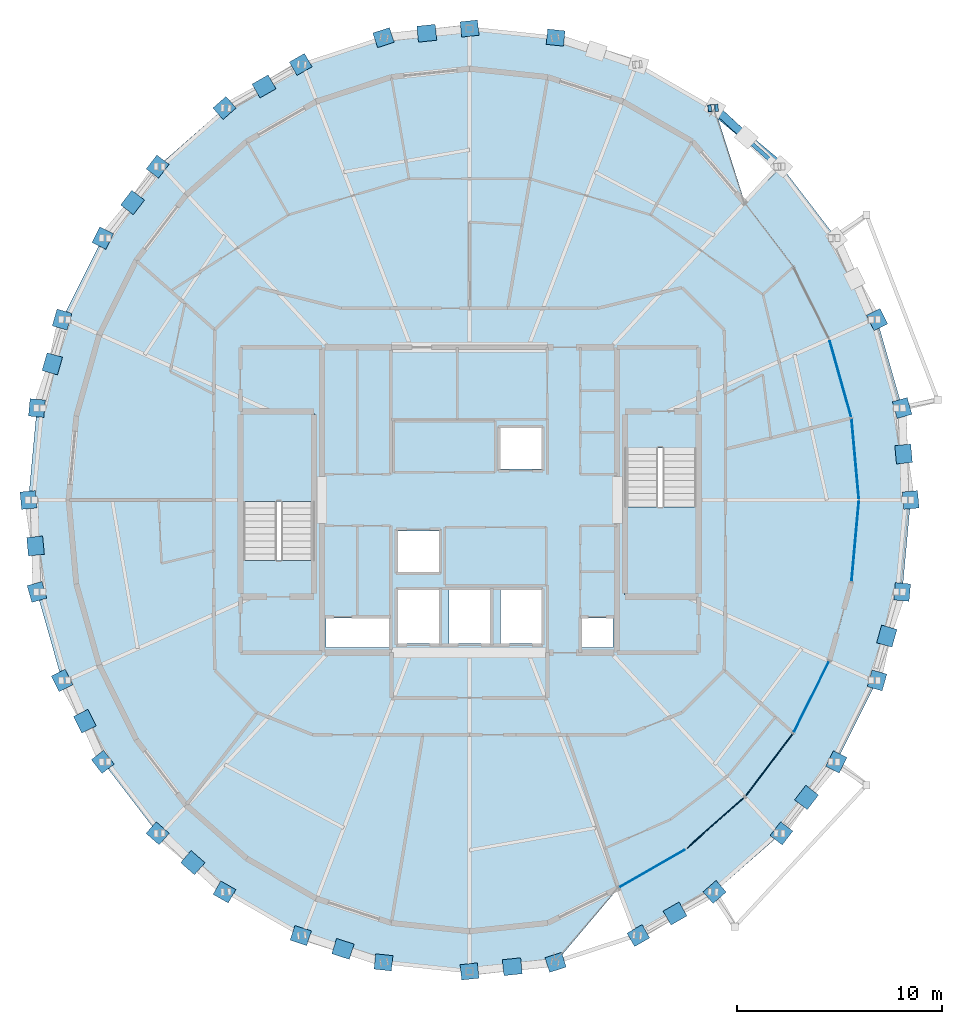
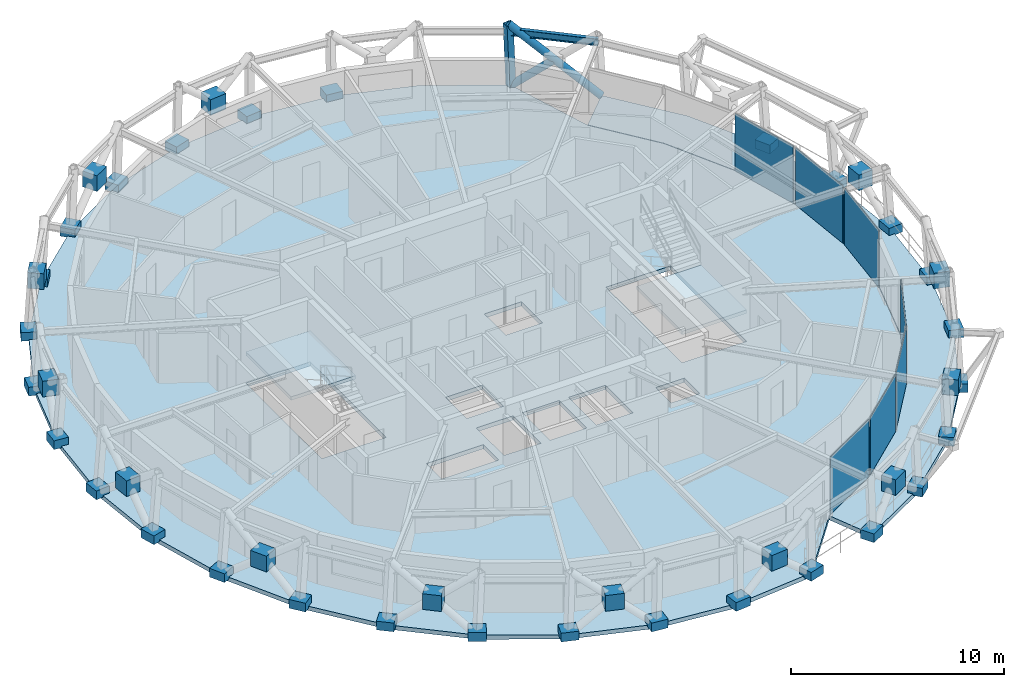
# One storey, part 9 of 15: 48 plates, 4 slabs, 3 members, 1 beam, 4 elements without a shape of their own.
"""IFC4 building model written with IfcOpenShell, lengths in metres."""

from ifc_helpers import new_model, si_unit, direction, frame, origin, origin_2d, place, context, subcontext, project, spatial, polyline, rectangle, hollow_rectangle, hollow_circle, i_section, outline, extrude, material, layer, layer_set, material_profile, profile_set, type_object, element, aggregate, save


model = new_model("IFC4")

# Units and contexts
model_context = context("Model", 3, precision=1e-05, world=origin(), true_north=direction((0.0, 1.0)))
body_context = subcontext(model_context, "Body", "Model", "MODEL_VIEW")
ifc_project = project(units=[si_unit("LENGTHUNIT", "METRE"), si_unit("AREAUNIT", "SQUARE_METRE"), si_unit("VOLUMEUNIT", "CUBIC_METRE"), si_unit("PLANEANGLEUNIT", "RADIAN"), si_unit("MASSUNIT", "GRAM", prefix="KILO")], contexts=[model_context])

# Site, building, storey
site_placement = place(None, origin())
site = spatial("IfcSite", under=ifc_project, at=site_placement, CompositionType="ELEMENT")
building_placement = place(site_placement, origin())
building = spatial("IfcBuilding", under=site, at=building_placement, Name="Veldorina Hangang Commons", CompositionType="ELEMENT")
storey_placement = place(building_placement, frame((0.0, 0.0, 268.800048828125)))
storey = spatial("IfcBuildingStorey", under=building, at=storey_placement, Name="L70", CompositionType="ELEMENT", Elevation=268.800048828125)

# Beam
ifc_material_1 = material(Name="Steel SM355-TMC", Category="steel")
ifc_material_profile_1 = material_profile(ifc_material_1, i_section(OverallWidth=0.199951171875, OverallDepth=0.39990234375, WebThickness=0.008056640625, FlangeThickness=0.012939453125, FilletRadius=0.012939453125, at=origin_2d()), Name="H-400x200x8x13")
ifc_profile_set_1 = profile_set([ifc_material_profile_1], Name="Steel SM355-TMC")
beam_type = type_object("IfcBeamType", Name="BM-RB400", PredefinedType="BEAM", material=ifc_profile_set_1)
beam_placement = place(storey_placement, frame((47.04052734375, 40.25390625, 3.159912109375), z_axis=(-0.74817173602, 0.663505126899, 0.0), x_axis=(-0.663505126899, -0.74817173602, 0.0)))
element("IfcBeam", 1, at=beam_placement, inside=storey, type_object=beam_type, Name="L70 perimeter hoop ring beam 04", PredefinedType="BEAM", context=body_context, shape_type="SweptSolid", body=[
    extrude(i_section(OverallWidth=0.199951171875, OverallDepth=0.39990234375, WebThickness=0.008056640625, FlangeThickness=0.012939453125, FilletRadius=0.012939453125, at=origin_2d()), origin(), (0.0, 0.0, 1.0), 4.30810546875),
])

# Members
ifc_material_profile_2 = material_profile(ifc_material_1, hollow_circle(Radius=0.199951171875, WallThickness=0.02001953125, at=origin_2d()), Name="CHS-400x20")
ifc_profile_set_2 = profile_set([ifc_material_profile_2], Name="Steel SM355-TMC")
member_type_1 = type_object("IfcMemberType", Name="DG-CHS400", PredefinedType="BRACE", material=ifc_profile_set_2)
member_1_placement = place(storey_placement, frame((47.214599609375, 40.26123046875, 0.0), z_axis=(-0.596946868833, 0.4979747588, 0.62902748381), x_axis=(-0.64057834977, -0.767892816613, 0.0)))
element("IfcMember", 2, at=member_1_placement, inside=storey, type_object=member_type_1, Name="L70 continuous perimeter diagrid brace 04", PredefinedType="BRACE", context=body_context, shape_type="SweptSolid", body=[
    extrude(hollow_circle(Radius=0.199951171875, WallThickness=0.02001953125, at=origin_2d()), origin(), (0.0, 0.0, 1.0), 5.722900390625),
])
member_2_placement = place(storey_placement, frame((43.9541015625, 43.121337890625, 0.0), z_axis=(0.557152299632, -0.515269088226, 0.651213545416), x_axis=(0.678973247419, 0.734163012749, 0.0)))
element("IfcMember", 3, at=member_2_placement, inside=storey, type_object=member_type_1, Name="L70 split perimeter diagrid lower brace 05", PredefinedType="BRACE", context=body_context, shape_type="SweptSolid", body=[
    extrude(hollow_circle(Radius=0.199951171875, WallThickness=0.02001953125, at=origin_2d()), origin(), (0.0, 0.0, 1.0), 2.774658203125),
])
ifc_material_profile_3 = material_profile(ifc_material_1, hollow_rectangle(XDim=0.35009765625, YDim=0.35009765625, WallThickness=0.01611328125, at=origin_2d()), Name="SHS-350x350x16")
ifc_profile_set_3 = profile_set([ifc_material_profile_3], Name="Steel SM355-TMC")
member_type_2 = type_object("IfcMemberType", Name="STR-SHS350", PredefinedType="STRUT", material=ifc_profile_set_3)
member_3_placement = place(storey_placement, frame((43.9541015625, 43.121337890625, 0.0), z_axis=(-0.043228282479, -0.002845749003, 0.99906116795), x_axis=(0.065688538203, -0.997840175554, 0.0)))
element("IfcMember", 4, at=member_3_placement, inside=storey, type_object=member_type_2, Name="L70 perimeter ring node post 05", PredefinedType="STRUT", context=body_context, shape_type="SweptSolid", body=[
    extrude(hollow_rectangle(XDim=0.35009765625, YDim=0.35009765625, WallThickness=0.01611328125, at=origin_2d()), origin(), (0.0, 0.0, 1.0), 3.603271484375),
])

# Curtain wall, plates
ifc_material_2 = material(Name="Glass Low-E Selective", Category="glass")
ifc_layer_1 = layer(ifc_material_2, 0.179931640625)
ifc_layer_set_1 = layer_set([ifc_layer_1], Name="Glass Low-E Selective")
curtain_wall_type = type_object("IfcCurtainWallType", Name="CW-SYS-Z3", PredefinedType="NOTDEFINED", material=ifc_layer_set_1)
curtain_wall_1_placement = place(storey_placement, origin())
curtain_wall_1 = element("IfcCurtainWall", 5, at=curtain_wall_1_placement, inside=storey, type_object=curtain_wall_type, Name="L70 unitised curtain wall CW-L70-R1", PredefinedType="NOTDEFINED")
ifc_material_3 = material(Name="Glass Low-E Triple IGU", Category="glass")
ifc_layer_2 = layer(ifc_material_3, 0.0400390625)
ifc_layer_set_2 = layer_set([ifc_layer_2], Name="Glass Low-E Triple IGU")
plate_type_1 = type_object("IfcPlateType", Name="CW-PNL-VIS", PredefinedType="CURTAIN_PANEL", material=ifc_layer_set_2)
plate_1_placement = place(storey_placement, frame((40.911865234375, 6.02783203125, 0.014892578125), z_axis=(0.0, 0.0, 1.0), x_axis=(0.866470119605, 0.499228937295, 0.0)))
plate_1 = element("IfcPlate", 6, at=plate_1_placement, type_object=plate_type_1, Name="CW-L70-R1 facet 1 glazed vision panel", PredefinedType="CURTAIN_PANEL", context=body_context, shape_type="SweptSolid", body=[
    extrude(rectangle(XDim=3.6103515625, YDim=0.0400390625, at=origin_2d()), origin(), (0.0, 0.0, 1.0), 3.2900390625),
])
plate_2_placement = place(storey_placement, frame((43.993408203125, 8.247314453125, 0.014892578125), z_axis=(0.0, 0.0, 1.0), x_axis=(0.748990414467, 0.662580832078, 0.0)))
plate_2 = element("IfcPlate", 7, at=plate_2_placement, type_object=plate_type_1, Name="CW-L70-R1 facet 2 glazed vision panel", PredefinedType="CURTAIN_PANEL", context=body_context, shape_type="SweptSolid", body=[
    extrude(rectangle(XDim=3.663330078125, YDim=0.0400390625, at=origin_2d()), origin(), (0.0, 0.0, 1.0), 3.2900390625),
])
plate_3_placement = place(storey_placement, frame((46.614013671875, 11.072021484375, 0.014892578125), z_axis=(0.0, 0.0, 1.0), x_axis=(0.605766238539, 0.795642673721, 0.0)))
plate_3 = element("IfcPlate", 8, at=plate_3_placement, type_object=plate_type_1, Name="CW-L70-R1 facet 3 glazed vision panel", PredefinedType="CURTAIN_PANEL", context=body_context, shape_type="SweptSolid", body=[
    extrude(rectangle(XDim=3.719970703125, YDim=0.0400390625, at=origin_2d()), origin(), (0.0, 0.0, 1.0), 3.2900390625),
])
plate_4_placement = place(storey_placement, frame((48.673095703125, 14.393798828125, 0.014892578125), z_axis=(0.0, 0.0, 1.0), x_axis=(0.444259945323, 0.895897930002, 0.0)))
plate_4 = element("IfcPlate", 9, at=plate_4_placement, type_object=plate_type_1, Name="CW-L70-R1 facet 4 glazed vision panel", PredefinedType="CURTAIN_PANEL", context=body_context, shape_type="SweptSolid", body=[
    extrude(rectangle(XDim=3.771484375, YDim=0.0400390625, at=origin_2d()), origin(), (0.0, 0.0, 1.0), 3.2900390625),
])
aggregate(curtain_wall_1, [plate_1, plate_2, plate_3, plate_4])

curtain_wall_2_placement = place(storey_placement, origin())
curtain_wall_2 = element("IfcCurtainWall", 10, at=curtain_wall_2_placement, inside=storey, type_object=curtain_wall_type, Name="L70 unitised curtain wall CW-L70-R2", PredefinedType="NOTDEFINED")
plate_5_placement = place(storey_placement, frame((50.814208984375, 22.00244140625, 0.014892578125), z_axis=(0.0, 0.0, 1.0), x_axis=(0.090980203904, 0.995852701205, 0.0)))
plate_5 = element("IfcPlate", 11, at=plate_5_placement, type_object=plate_type_1, Name="CW-L70-R2 facet 1 glazed vision panel", PredefinedType="CURTAIN_PANEL", context=body_context, shape_type="SweptSolid", body=[
    extrude(rectangle(XDim=3.83154296875, YDim=0.0400390625, at=origin_2d()), origin(), (0.0, 0.0, 1.0), 3.2900390625),
])
plate_6_placement = place(storey_placement, frame((50.814208984375, 25.99755859375, 0.014892578125), z_axis=(0.0, 0.0, 1.0), x_axis=(-0.090980203904, 0.995852701205, 0.0)))
plate_6 = element("IfcPlate", 12, at=plate_6_placement, type_object=plate_type_1, Name="CW-L70-R2 facet 2 glazed vision panel", PredefinedType="CURTAIN_PANEL", context=body_context, shape_type="SweptSolid", body=[
    extrude(rectangle(XDim=3.83154296875, YDim=0.0400390625, at=origin_2d()), origin(), (0.0, 0.0, 1.0), 3.2900390625),
])
plate_7_placement = place(storey_placement, frame((50.09130859375, 29.91552734375, 0.014892578125), z_axis=(0.0, 0.0, 1.0), x_axis=(-0.270886070452, 0.962611415284, 0.0)))
plate_7 = element("IfcPlate", 13, at=plate_7_placement, type_object=plate_type_1, Name="CW-L70-R2 facet 3 glazed vision panel", PredefinedType="CURTAIN_PANEL", context=body_context, shape_type="SweptSolid", body=[
    extrude(rectangle(XDim=3.810546875, YDim=0.0400390625, at=origin_2d()), origin(), (0.0, 0.0, 1.0), 3.2900390625),
])
aggregate(curtain_wall_2, [plate_5, plate_6, plate_7])

# Plates
ifc_material_4 = material(Name="Steel SM460-TMC", Category="steel")
ifc_layer_3 = layer(ifc_material_4, 0.035888671875)
ifc_layer_set_3 = layer_set([ifc_layer_3], Name="Steel SM460-TMC")
plate_type_2 = type_object("IfcPlateType", Name="PL-STAR-36", PredefinedType="USERDEFINED", material=ifc_layer_set_3)
plate_8_placement = place(storey_placement, frame((53.516845703125, 24.0, -0.090087890625), z_axis=(0.0, 0.0, 1.0), x_axis=(-0.091762316645, 0.995780938381, 0.0)))
element("IfcPlate", 14, at=plate_8_placement, inside=storey, type_object=plate_type_2, Name="L70 diagrid star-node gusset plate 00", ObjectType="GUSSET PLATE", PredefinedType="USERDEFINED", context=body_context, shape_type="SweptSolid", body=[
    extrude(rectangle(XDim=0.85009765625, YDim=0.75, at=origin_2d()), origin(), (0.0, 0.0, 1.0), 0.5),
])
plate_9_placement = place(storey_placement, frame((53.17236328125, 26.242919921875, 1.3505859375), z_axis=(0.0, 0.0, 1.0), x_axis=(-0.091762316645, 0.995780938381, 0.0)))
element("IfcPlate", 15, at=plate_9_placement, inside=storey, type_object=plate_type_2, Name="L70 diagrid X-crossing star-node gusset plate 00", ObjectType="GUSSET PLATE", PredefinedType="USERDEFINED", context=body_context, shape_type="SweptSolid", body=[
    extrude(rectangle(XDim=0.89990234375, YDim=0.780029296875, at=origin_2d()), origin(), (0.0, 0.0, 1.0), 0.89990234375),
])
for number, where, z_axis, x_axis, name in (
    (16, (53.103515625, 28.486572265625, -0.090087890625), (0.0, 0.0, 1.0), (-0.273052677323, 0.961999082851, 0.0), "L70 diagrid star-node gusset plate 01"),
    (17, (51.87890625, 32.800537109375, -0.090087890625), (0.0, 0.0, 1.0), (-0.447290848419, 0.89438856037, 0.0), "L70 diagrid star-node gusset plate 02"),
    (18, (36.19775390625, 46.55517578125, -0.090087890625), (0.0, 0.0, 1.0), (-0.994503636562, 0.10470203849, 0.0), "L70 diagrid star-node gusset plate 07"),
    (19, (32.0, 46.9970703125, -0.090087890625), (0.0, 0.0, 1.0), (-0.994503636562, -0.10470203849, 0.0), "L70 diagrid star-node gusset plate 08"),
):
    element("IfcPlate", number, at=place(storey_placement, frame(where, z_axis=z_axis, x_axis=x_axis)), inside=storey, type_object=plate_type_2, Name=name, ObjectType="GUSSET PLATE", PredefinedType="USERDEFINED", context=body_context, shape_type="SweptSolid", body=[
        extrude(rectangle(XDim=0.85009765625, YDim=0.75, at=origin_2d()), origin(), (0.0, 0.0, 1.0), 0.5),
    ])
plate_10_placement = place(storey_placement, frame((29.9150390625, 46.7685546875, 1.36181640625), z_axis=(0.0, 0.0, 1.0), x_axis=(-0.994503636562, -0.10470203849, 0.0)))
element("IfcPlate", 20, at=plate_10_placement, inside=storey, type_object=plate_type_2, Name="L70 diagrid X-crossing star-node gusset plate 08", ObjectType="GUSSET PLATE", PredefinedType="USERDEFINED", context=body_context, shape_type="SweptSolid", body=[
    extrude(rectangle(XDim=0.89990234375, YDim=0.780029296875, at=origin_2d()), origin(), (0.0, 0.0, 1.0), 0.89990234375),
])
for number, where, z_axis, x_axis, name in (
    (21, (27.80224609375, 46.55517578125, -0.090087890625), (0.0, 0.0, 1.0), (-0.951255872444, -0.308402764484, 0.0), "L70 diagrid star-node gusset plate 09"),
    (22, (23.765869140625, 45.24658203125, -0.090087890625), (0.0, 0.0, 1.0), (-0.868294065218, -0.496049812325, 0.0), "L70 diagrid star-node gusset plate 10"),
):
    element("IfcPlate", number, at=place(storey_placement, frame(where, z_axis=z_axis, x_axis=x_axis)), inside=storey, type_object=plate_type_2, Name=name, ObjectType="GUSSET PLATE", PredefinedType="USERDEFINED", context=body_context, shape_type="SweptSolid", body=[
        extrude(rectangle(XDim=0.85009765625, YDim=0.75, at=origin_2d()), origin(), (0.0, 0.0, 1.0), 0.5),
    ])
plate_11_placement = place(storey_placement, frame((21.974853515625, 44.173583984375, 1.35888671875), z_axis=(0.0, 0.0, 1.0), x_axis=(-0.868294065218, -0.496049812325, 0.0)))
element("IfcPlate", 23, at=plate_11_placement, inside=storey, type_object=plate_type_2, Name="L70 diagrid X-crossing star-node gusset plate 10", ObjectType="GUSSET PLATE", PredefinedType="USERDEFINED", context=body_context, shape_type="SweptSolid", body=[
    extrude(rectangle(XDim=0.89990234375, YDim=0.780029296875, at=origin_2d()), origin(), (0.0, 0.0, 1.0), 0.89990234375),
])
for number, where, z_axis, x_axis, name in (
    (24, (20.0458984375, 43.121337890625, -0.090087890625), (0.0, 0.0, 1.0), (-0.751782265839, -0.65941142299, 0.0), "L70 diagrid star-node gusset plate 11"),
    (25, (16.785400390625, 40.26123046875, -0.090087890625), (0.0, 0.0, 1.0), (-0.609024481463, -0.793151423739, 0.0), "L70 diagrid star-node gusset plate 12"),
):
    element("IfcPlate", number, at=place(storey_placement, frame(where, z_axis=z_axis, x_axis=x_axis)), inside=storey, type_object=plate_type_2, Name=name, ObjectType="GUSSET PLATE", PredefinedType="USERDEFINED", context=body_context, shape_type="SweptSolid", body=[
        extrude(rectangle(XDim=0.85009765625, YDim=0.75, at=origin_2d()), origin(), (0.0, 0.0, 1.0), 0.5),
    ])
plate_12_placement = place(storey_placement, frame((15.560791015625, 38.510986328125, 1.354736328125), z_axis=(0.0, 0.0, 1.0), x_axis=(-0.609024481463, -0.793151423739, 0.0)))
element("IfcPlate", 26, at=plate_12_placement, inside=storey, type_object=plate_type_2, Name="L70 diagrid X-crossing star-node gusset plate 12", ObjectType="GUSSET PLATE", PredefinedType="USERDEFINED", context=body_context, shape_type="SweptSolid", body=[
    extrude(rectangle(XDim=0.89990234375, YDim=0.780029296875, at=origin_2d()), origin(), (0.0, 0.0, 1.0), 0.89990234375),
])
for number, where, z_axis, x_axis, name in (
    (27, (14.109375, 36.7763671875, -0.090087890625), (0.0, 0.0, 1.0), (-0.447290848419, -0.89438856037, 0.0), "L70 diagrid star-node gusset plate 13"),
    (28, (12.12109375, 32.800537109375, -0.090087890625), (0.0, 0.0, 1.0), (-0.273052677323, -0.961999082851, 0.0), "L70 diagrid star-node gusset plate 14"),
):
    element("IfcPlate", number, at=place(storey_placement, frame(where, z_axis=z_axis, x_axis=x_axis)), inside=storey, type_object=plate_type_2, Name=name, ObjectType="GUSSET PLATE", PredefinedType="USERDEFINED", context=body_context, shape_type="SweptSolid", body=[
        extrude(rectangle(XDim=0.85009765625, YDim=0.75, at=origin_2d()), origin(), (0.0, 0.0, 1.0), 0.5),
    ])
plate_13_placement = place(storey_placement, frame((11.64599609375, 30.640869140625, 1.351318359375), z_axis=(0.0, 0.0, 1.0), x_axis=(-0.273052677323, -0.961999082851, 0.0)))
element("IfcPlate", 29, at=plate_13_placement, inside=storey, type_object=plate_type_2, Name="L70 diagrid X-crossing star-node gusset plate 14", ObjectType="GUSSET PLATE", PredefinedType="USERDEFINED", context=body_context, shape_type="SweptSolid", body=[
    extrude(rectangle(XDim=0.89990234375, YDim=0.780029296875, at=origin_2d()), origin(), (0.0, 0.0, 1.0), 0.89990234375),
])
for number, where, z_axis, x_axis, name in (
    (30, (10.896484375, 28.486572265625, -0.090087890625), (0.0, 0.0, 1.0), (-0.091762316645, -0.995780938381, 0.0), "L70 diagrid star-node gusset plate 15"),
    (31, (10.483154296875, 24.0, -0.090087890625), (0.0, 0.0, 1.0), (0.091762316645, -0.995780938381, 0.0), "L70 diagrid star-node gusset plate 16"),
):
    element("IfcPlate", number, at=place(storey_placement, frame(where, z_axis=z_axis, x_axis=x_axis)), inside=storey, type_object=plate_type_2, Name=name, ObjectType="GUSSET PLATE", PredefinedType="USERDEFINED", context=body_context, shape_type="SweptSolid", body=[
        extrude(rectangle(XDim=0.85009765625, YDim=0.75, at=origin_2d()), origin(), (0.0, 0.0, 1.0), 0.5),
    ])
plate_14_placement = place(storey_placement, frame((10.82763671875, 21.757080078125, 1.3505859375), z_axis=(0.0, 0.0, 1.0), x_axis=(0.091762316645, -0.995780938381, 0.0)))
element("IfcPlate", 32, at=plate_14_placement, inside=storey, type_object=plate_type_2, Name="L70 diagrid X-crossing star-node gusset plate 16", ObjectType="GUSSET PLATE", PredefinedType="USERDEFINED", context=body_context, shape_type="SweptSolid", body=[
    extrude(rectangle(XDim=0.89990234375, YDim=0.780029296875, at=origin_2d()), origin(), (0.0, 0.0, 1.0), 0.89990234375),
])
for number, where, z_axis, x_axis, name in (
    (33, (10.896484375, 19.513427734375, -0.090087890625), (0.0, 0.0, 1.0), (0.273052677323, -0.961999082851, 0.0), "L70 diagrid star-node gusset plate 17"),
    (34, (12.12109375, 15.199462890625, -0.090087890625), (0.0, 0.0, 1.0), (0.447290848419, -0.89438856037, 0.0), "L70 diagrid star-node gusset plate 18"),
):
    element("IfcPlate", number, at=place(storey_placement, frame(where, z_axis=z_axis, x_axis=x_axis)), inside=storey, type_object=plate_type_2, Name=name, ObjectType="GUSSET PLATE", PredefinedType="USERDEFINED", context=body_context, shape_type="SweptSolid", body=[
        extrude(rectangle(XDim=0.85009765625, YDim=0.75, at=origin_2d()), origin(), (0.0, 0.0, 1.0), 0.5),
    ])
plate_15_placement = place(storey_placement, frame((13.233642578125, 13.2119140625, 1.352783203125), z_axis=(0.0, 0.0, 1.0), x_axis=(0.447290848419, -0.89438856037, 0.0)))
element("IfcPlate", 35, at=plate_15_placement, inside=storey, type_object=plate_type_2, Name="L70 diagrid X-crossing star-node gusset plate 18", ObjectType="GUSSET PLATE", PredefinedType="USERDEFINED", context=body_context, shape_type="SweptSolid", body=[
    extrude(rectangle(XDim=0.89990234375, YDim=0.780029296875, at=origin_2d()), origin(), (0.0, 0.0, 1.0), 0.89990234375),
])
for number, where, z_axis, x_axis, name in (
    (36, (14.109375, 11.2236328125, -0.090087890625), (0.0, 0.0, 1.0), (0.609024481463, -0.793151423739, 0.0), "L70 diagrid star-node gusset plate 19"),
    (37, (16.785400390625, 7.73876953125, -0.090087890625), (0.0, 0.0, 1.0), (0.751782265839, -0.65941142299, 0.0), "L70 diagrid star-node gusset plate 20"),
):
    element("IfcPlate", number, at=place(storey_placement, frame(where, z_axis=z_axis, x_axis=x_axis)), inside=storey, type_object=plate_type_2, Name=name, ObjectType="GUSSET PLATE", PredefinedType="USERDEFINED", context=body_context, shape_type="SweptSolid", body=[
        extrude(rectangle(XDim=0.85009765625, YDim=0.75, at=origin_2d()), origin(), (0.0, 0.0, 1.0), 0.5),
    ])
plate_16_placement = place(storey_placement, frame((18.5, 6.308349609375, 1.35693359375), z_axis=(0.0, 0.0, 1.0), x_axis=(0.751782265839, -0.65941142299, 0.0)))
element("IfcPlate", 38, at=plate_16_placement, inside=storey, type_object=plate_type_2, Name="L70 diagrid X-crossing star-node gusset plate 20", ObjectType="GUSSET PLATE", PredefinedType="USERDEFINED", context=body_context, shape_type="SweptSolid", body=[
    extrude(rectangle(XDim=0.89990234375, YDim=0.780029296875, at=origin_2d()), origin(), (0.0, 0.0, 1.0), 0.89990234375),
])
for number, where, z_axis, x_axis, name in (
    (39, (20.0458984375, 4.878662109375, -0.090087890625), (0.0, 0.0, 1.0), (0.868294065218, -0.496049812325, 0.0), "L70 diagrid star-node gusset plate 21"),
    (40, (23.765869140625, 2.75341796875, -0.090087890625), (0.0, 0.0, 1.0), (0.951255872444, -0.308402764484, 0.0), "L70 diagrid star-node gusset plate 22"),
):
    element("IfcPlate", number, at=place(storey_placement, frame(where, z_axis=z_axis, x_axis=x_axis)), inside=storey, type_object=plate_type_2, Name=name, ObjectType="GUSSET PLATE", PredefinedType="USERDEFINED", context=body_context, shape_type="SweptSolid", body=[
        extrude(rectangle(XDim=0.85009765625, YDim=0.75, at=origin_2d()), origin(), (0.0, 0.0, 1.0), 0.5),
    ])
plate_17_placement = place(storey_placement, frame((25.823486328125, 2.101318359375, 1.360595703125), z_axis=(0.0, 0.0, 1.0), x_axis=(0.951255872444, -0.308402764484, 0.0)))
element("IfcPlate", 41, at=plate_17_placement, inside=storey, type_object=plate_type_2, Name="L70 diagrid X-crossing star-node gusset plate 22", ObjectType="GUSSET PLATE", PredefinedType="USERDEFINED", context=body_context, shape_type="SweptSolid", body=[
    extrude(rectangle(XDim=0.89990234375, YDim=0.780029296875, at=origin_2d()), origin(), (0.0, 0.0, 1.0), 0.89990234375),
])
for number, where, z_axis, x_axis, name in (
    (42, (27.80224609375, 1.44482421875, -0.090087890625), (0.0, 0.0, 1.0), (0.994503636562, -0.10470203849, 0.0), "L70 diagrid star-node gusset plate 23"),
    (43, (32.0, 1.0029296875, -0.090087890625), (0.0, 0.0, 1.0), (0.994503636562, 0.10470203849, 0.0), "L70 diagrid star-node gusset plate 24"),
):
    element("IfcPlate", number, at=place(storey_placement, frame(where, z_axis=z_axis, x_axis=x_axis)), inside=storey, type_object=plate_type_2, Name=name, ObjectType="GUSSET PLATE", PredefinedType="USERDEFINED", context=body_context, shape_type="SweptSolid", body=[
        extrude(rectangle(XDim=0.85009765625, YDim=0.75, at=origin_2d()), origin(), (0.0, 0.0, 1.0), 0.5),
    ])
plate_18_placement = place(storey_placement, frame((34.0849609375, 1.2314453125, 1.36181640625), z_axis=(0.0, 0.0, 1.0), x_axis=(0.994503636562, 0.10470203849, 0.0)))
element("IfcPlate", 44, at=plate_18_placement, inside=storey, type_object=plate_type_2, Name="L70 diagrid X-crossing star-node gusset plate 24", ObjectType="GUSSET PLATE", PredefinedType="USERDEFINED", context=body_context, shape_type="SweptSolid", body=[
    extrude(rectangle(XDim=0.89990234375, YDim=0.780029296875, at=origin_2d()), origin(), (0.0, 0.0, 1.0), 0.89990234375),
])
for number, where, z_axis, x_axis, name in (
    (45, (36.19775390625, 1.44482421875, -0.090087890625), (0.0, 0.0, 1.0), (0.951255872444, 0.308402764484, 0.0), "L70 diagrid star-node gusset plate 25"),
    (46, (40.234130859375, 2.75341796875, -0.090087890625), (0.0, 0.0, 1.0), (0.868294065218, 0.496049812325, 0.0), "L70 diagrid star-node gusset plate 26"),
):
    element("IfcPlate", number, at=place(storey_placement, frame(where, z_axis=z_axis, x_axis=x_axis)), inside=storey, type_object=plate_type_2, Name=name, ObjectType="GUSSET PLATE", PredefinedType="USERDEFINED", context=body_context, shape_type="SweptSolid", body=[
        extrude(rectangle(XDim=0.85009765625, YDim=0.75, at=origin_2d()), origin(), (0.0, 0.0, 1.0), 0.5),
    ])
plate_19_placement = place(storey_placement, frame((42.025146484375, 3.826416015625, 1.35888671875), z_axis=(0.0, 0.0, 1.0), x_axis=(0.868294065218, 0.496049812325, 0.0)))
element("IfcPlate", 47, at=plate_19_placement, inside=storey, type_object=plate_type_2, Name="L70 diagrid X-crossing star-node gusset plate 26", ObjectType="GUSSET PLATE", PredefinedType="USERDEFINED", context=body_context, shape_type="SweptSolid", body=[
    extrude(rectangle(XDim=0.89990234375, YDim=0.780029296875, at=origin_2d()), origin(), (0.0, 0.0, 1.0), 0.89990234375),
])
for number, where, z_axis, x_axis, name in (
    (48, (43.9541015625, 4.878662109375, -0.090087890625), (0.0, 0.0, 1.0), (0.751782265839, 0.65941142299, 0.0), "L70 diagrid star-node gusset plate 27"),
    (49, (47.214599609375, 7.73876953125, -0.090087890625), (0.0, 0.0, 1.0), (0.609024481463, 0.793151423739, 0.0), "L70 diagrid star-node gusset plate 28"),
):
    element("IfcPlate", number, at=place(storey_placement, frame(where, z_axis=z_axis, x_axis=x_axis)), inside=storey, type_object=plate_type_2, Name=name, ObjectType="GUSSET PLATE", PredefinedType="USERDEFINED", context=body_context, shape_type="SweptSolid", body=[
        extrude(rectangle(XDim=0.85009765625, YDim=0.75, at=origin_2d()), origin(), (0.0, 0.0, 1.0), 0.5),
    ])
plate_20_placement = place(storey_placement, frame((48.439208984375, 9.489013671875, 1.354736328125), z_axis=(0.0, 0.0, 1.0), x_axis=(0.609024481463, 0.793151423739, 0.0)))
element("IfcPlate", 50, at=plate_20_placement, inside=storey, type_object=plate_type_2, Name="L70 diagrid X-crossing star-node gusset plate 28", ObjectType="GUSSET PLATE", PredefinedType="USERDEFINED", context=body_context, shape_type="SweptSolid", body=[
    extrude(rectangle(XDim=0.89990234375, YDim=0.780029296875, at=origin_2d()), origin(), (0.0, 0.0, 1.0), 0.89990234375),
])
for number, where, z_axis, x_axis, name in (
    (51, (49.890625, 11.2236328125, -0.090087890625), (0.0, 0.0, 1.0), (0.447290848419, 0.89438856037, 0.0), "L70 diagrid star-node gusset plate 29"),
    (52, (51.87890625, 15.199462890625, -0.090087890625), (0.0, 0.0, 1.0), (0.273052677323, 0.961999082851, 0.0), "L70 diagrid star-node gusset plate 30"),
):
    element("IfcPlate", number, at=place(storey_placement, frame(where, z_axis=z_axis, x_axis=x_axis)), inside=storey, type_object=plate_type_2, Name=name, ObjectType="GUSSET PLATE", PredefinedType="USERDEFINED", context=body_context, shape_type="SweptSolid", body=[
        extrude(rectangle(XDim=0.85009765625, YDim=0.75, at=origin_2d()), origin(), (0.0, 0.0, 1.0), 0.5),
    ])
plate_21_placement = place(storey_placement, frame((52.35400390625, 17.359130859375, 1.351318359375), z_axis=(0.0, 0.0, 1.0), x_axis=(0.273052677323, 0.961999082851, 0.0)))
element("IfcPlate", 53, at=plate_21_placement, inside=storey, type_object=plate_type_2, Name="L70 diagrid X-crossing star-node gusset plate 30", ObjectType="GUSSET PLATE", PredefinedType="USERDEFINED", context=body_context, shape_type="SweptSolid", body=[
    extrude(rectangle(XDim=0.89990234375, YDim=0.780029296875, at=origin_2d()), origin(), (0.0, 0.0, 1.0), 0.89990234375),
])
plate_22_placement = place(storey_placement, frame((53.103515625, 19.513427734375, -0.090087890625), z_axis=(0.0, 0.0, 1.0), x_axis=(0.091762316645, 0.995780938381, 0.0)))
element("IfcPlate", 54, at=plate_22_placement, inside=storey, type_object=plate_type_2, Name="L70 diagrid star-node gusset plate 31", ObjectType="GUSSET PLATE", PredefinedType="USERDEFINED", context=body_context, shape_type="SweptSolid", body=[
    extrude(rectangle(XDim=0.85009765625, YDim=0.75, at=origin_2d()), origin(), (0.0, 0.0, 1.0), 0.5),
])

# Slabs
ifc_material_5 = material(Name="Concrete C40/50", Category="concrete")
ifc_layer_4 = layer(ifc_material_5, 0.239990234375)
ifc_layer_set_4 = layer_set([ifc_layer_4], Name="Concrete C40/50")
slab_type_1 = type_object("IfcSlabType", Name="SL-FLR-240", PredefinedType="FLOOR", material=ifc_layer_set_4)
slab_1_placement = place(storey_placement, frame((0.0, 0.0, -0.239990234375)))
element("IfcSlab", 55, at=slab_1_placement, inside=storey, type_object=slab_type_1, Name="L70 tower structural floor slab", PredefinedType="FLOOR", context=body_context, shape_type="SweptSolid", body=[
    extrude(outline(polyline([(50.996826171875, 24.0), (50.6318359375, 27.994873046875), (49.55078125, 31.836181640625), (47.79541015625, 35.37646484375), (45.432861328125, 38.4794921875), (43.9541015625, 43.121337890625), (40.234130859375, 45.24658203125), (36.19775390625, 46.55517578125), (32.0, 46.9970703125), (27.80224609375, 46.55517578125), (23.765869140625, 45.24658203125), (20.0458984375, 43.121337890625), (16.785400390625, 40.26123046875), (14.109375, 36.7763671875), (12.12109375, 32.800537109375), (10.896484375, 28.486572265625), (10.483154296875, 24.0), (10.896484375, 19.513427734375), (12.12109375, 15.199462890625), (14.109375, 11.2236328125), (16.785400390625, 7.73876953125), (20.0458984375, 4.878662109375), (23.765869140625, 2.75341796875), (27.80224609375, 1.44482421875), (32.0, 1.0029296875), (36.19775390625, 1.44482421875), (39.269775390625, 5.081787109375), (42.55419921875, 6.97412109375), (45.432861328125, 9.5205078125), (47.79541015625, 12.62353515625), (49.55078125, 16.163818359375), (50.6318359375, 20.005126953125), (50.996826171875, 24.0)]), holes=[polyline([(20.949951171875, 21.05810546875), (20.949951171875, 28.199951171875), (24.449951171875, 28.199951171875), (24.449951171875, 21.05810546875), (20.949951171875, 21.05810546875)]), polyline([(43.050048828125, 26.5419921875), (43.050048828125, 19.39990234375), (39.550048828125, 19.39990234375), (39.550048828125, 26.5419921875), (43.050048828125, 26.5419921875)]), polyline([(33.5, 27.5), (35.5, 27.5), (35.5, 25.5), (33.5, 25.5), (33.5, 27.5)]), polyline([(28.5, 22.5), (30.5, 22.5), (30.5, 20.5), (28.5, 20.5), (28.5, 22.5)]), polyline([(28.5, 19.60009765625), (30.5, 19.60009765625), (30.5, 17.0), (28.5, 17.0), (28.5, 19.60009765625)]), polyline([(31.0, 19.60009765625), (33.0, 19.60009765625), (33.0, 17.0), (31.0, 17.0), (31.0, 19.60009765625)]), polyline([(33.5, 19.60009765625), (35.5, 19.60009765625), (35.5, 17.0), (33.5, 17.0), (33.5, 19.60009765625)]), polyline([(25.0, 18.25), (28.10009765625, 18.25), (28.10009765625, 16.800048828125), (25.0, 16.800048828125), (25.0, 18.25)]), polyline([(37.449951171875, 18.25), (39.0, 18.25), (39.0, 16.800048828125), (37.449951171875, 16.800048828125), (37.449951171875, 18.25)])]), origin(), (0.0, 0.0, 1.0), 0.239990234375),
])
slab_2_placement = place(storey_placement, frame((0.0, 0.0, -0.239990234375)))
element("IfcSlab", 56, at=slab_2_placement, inside=storey, type_object=slab_type_1, Name="L70 sky-garden loggia outdoor slab", PredefinedType="FLOOR", context=body_context, shape_type="SweptSolid", body=[
    extrude(outline(polyline([(47.214599609375, 40.26123046875), (49.890625, 36.7763671875), (51.87890625, 32.800537109375), (53.103515625, 28.486572265625), (53.516845703125, 24.0), (53.103515625, 19.513427734375), (51.87890625, 15.199462890625), (49.890625, 11.2236328125), (47.214599609375, 7.73876953125), (43.9541015625, 4.878662109375), (40.234130859375, 2.75341796875), (39.2763671875, 5.066162109375), (39.279541015625, 5.070068359375), (42.5615234375, 6.9609375), (42.56298828125, 6.9619140625), (42.56396484375, 6.962890625), (45.442626953125, 9.509521484375), (45.44384765625, 9.510498046875), (45.444580078125, 9.511474609375), (47.80712890625, 12.614501953125), (47.80810546875, 12.61572265625), (47.80859375, 12.616943359375), (49.564208984375, 16.156982421875), (49.564697265625, 16.158447265625), (49.565185546875, 16.15966796875), (50.646240234375, 20.0009765625), (50.646484375, 20.00244140625), (50.646728515625, 20.003662109375), (51.01171875, 23.99853515625), (51.01171875, 24.0), (51.01171875, 24.00146484375), (50.646728515625, 27.996337890625), (50.646484375, 27.99755859375), (50.646240234375, 27.9990234375), (49.565185546875, 31.84033203125), (49.564697265625, 31.841552734375), (49.564208984375, 31.843017578125), (47.80859375, 35.383056640625), (47.80810546875, 35.38427734375), (47.80712890625, 35.385498046875), (45.4462890625, 38.486328125), (45.444580078125, 38.4912109375), (47.214599609375, 40.26123046875)])), origin(), (0.0, 0.0, 1.0), 0.239990234375),
])

# Stair, slab
stair_type = type_object("IfcStairType", Name="STR-DOG-1650-20R", PredefinedType="HALF_TURN_STAIR", material=ifc_material_5)
stair_1_placement = place(storey_placement, origin())
stair_1 = element("IfcStair", 57, at=stair_1_placement, inside=storey, type_object=stair_type, Name="L70 Exit stair ST-1", PredefinedType="HALF_TURN_STAIR")
ifc_layer_5 = layer(ifc_material_5, 0.199951171875)
ifc_layer_set_5 = layer_set([ifc_layer_5], Name="Concrete C40/50")
slab_type_2 = type_object("IfcSlabType", Name="SL-LND-200", PredefinedType="LANDING", material=ifc_layer_set_5)
slab_3_placement = place(storey_placement, frame((0.0, 0.0, 1.599853515625)))
slab_3 = element("IfcSlab", 58, at=slab_3_placement, type_object=slab_type_2, Name="ST-1 landing 1", PredefinedType="LANDING", context=body_context, shape_type="SweptSolid", body=[
    extrude(outline(polyline([(24.449951171875, 23.929931640625), (24.449951171875, 28.199951171875), (20.949951171875, 28.199951171875), (20.949951171875, 23.929931640625), (24.449951171875, 23.929931640625)])), origin(), (0.0, 0.0, 1.0), 0.2001953125),
])
aggregate(stair_1, [slab_3])

stair_2_placement = place(storey_placement, origin())
stair_2 = element("IfcStair", 59, at=stair_2_placement, inside=storey, type_object=stair_type, Name="L70 Exit stair ST-2", PredefinedType="HALF_TURN_STAIR")
slab_4_placement = place(storey_placement, frame((0.0, 0.0, 1.599853515625)))
slab_4 = element("IfcSlab", 60, at=slab_4_placement, type_object=slab_type_2, Name="ST-2 landing 1", PredefinedType="LANDING", context=body_context, shape_type="SweptSolid", body=[
    extrude(outline(polyline([(39.550048828125, 23.669921875), (39.550048828125, 19.39990234375), (43.050048828125, 19.39990234375), (43.050048828125, 23.669921875), (39.550048828125, 23.669921875)])), origin(), (0.0, 0.0, 1.0), 0.2001953125),
])
aggregate(stair_2, [slab_4])

save(model, "model.ifc")
